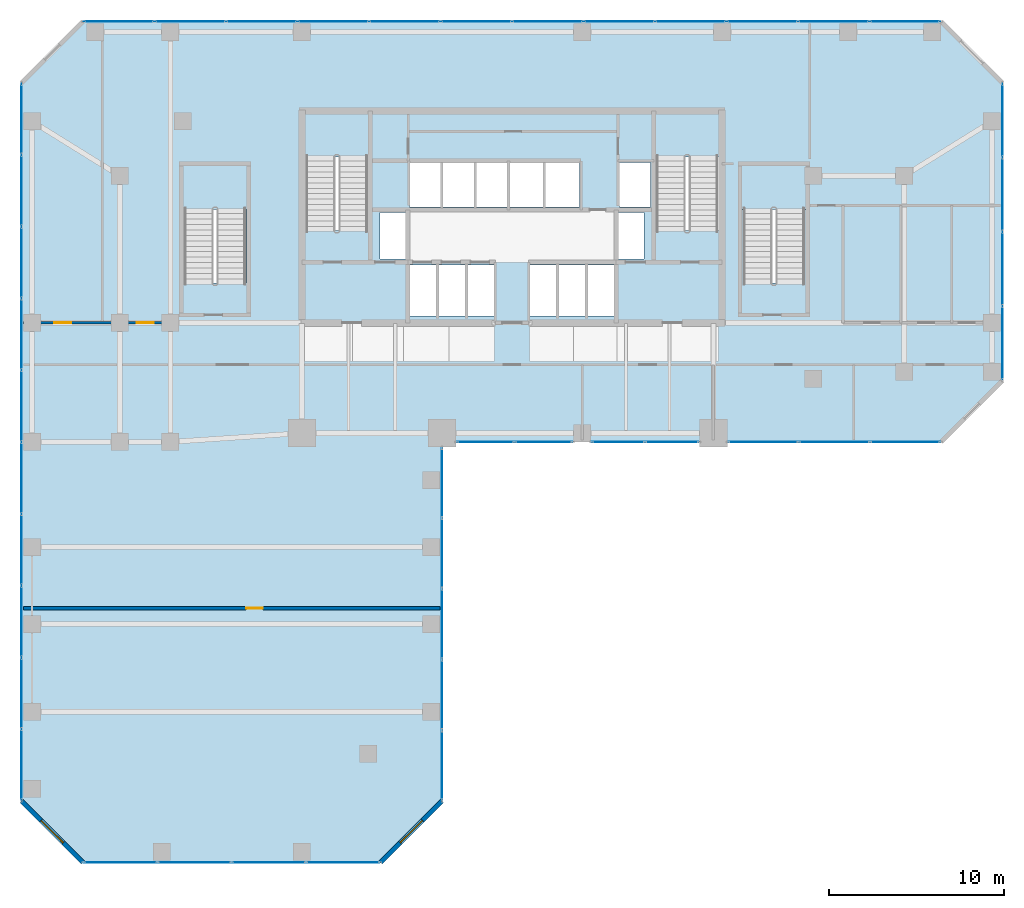
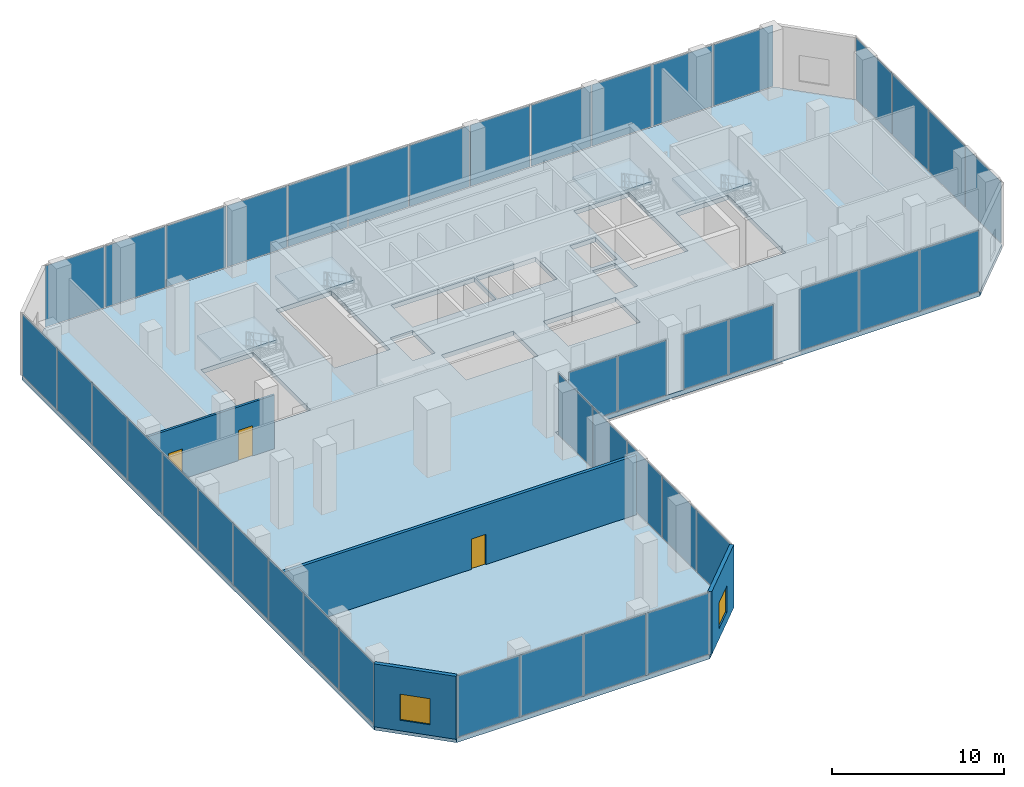
# One storey, part 20 of 24: 42 plates, 5 slabs, 4 walls, 3 doors, 2 windows, 5 openings, 12 elements without a shape of their own.
"""IFC4 building model written with IfcOpenShell, lengths in metres."""

from ifc_helpers import new_model, si_unit, direction, frame, frame_2d, origin, origin_2d, place, context, subcontext, project, spatial, polyline, rectangle, outline, extrude, material, layer, layer_set, type_object, element, fill, aggregate, save


model = new_model("IFC4")

# Units and contexts
model_context = context("Model", 3, precision=1e-05, world=origin(), true_north=direction((0.0, 1.0)))
body_context = subcontext(model_context, "Body", "Model", "MODEL_VIEW")
ifc_project = project(units=[si_unit("LENGTHUNIT", "METRE"), si_unit("AREAUNIT", "SQUARE_METRE"), si_unit("VOLUMEUNIT", "CUBIC_METRE"), si_unit("PLANEANGLEUNIT", "RADIAN"), si_unit("MASSUNIT", "GRAM", prefix="KILO")], contexts=[model_context])

# Site, building, storey
site_placement = place(None, origin())
site = spatial("IfcSite", under=ifc_project, at=site_placement, CompositionType="ELEMENT")
building_placement = place(site_placement, origin())
building = spatial("IfcBuilding", under=site, at=building_placement, Name="Catumbela Crestline Tower", CompositionType="ELEMENT")
storey_placement = place(building_placement, frame((0.0, 0.0, 11.1)))
storey = spatial("IfcBuildingStorey", under=building, at=storey_placement, Name="L02", CompositionType="ELEMENT", Elevation=11.1)

# Curtain wall, plates
ifc_material_1 = material(Name="Aluminium alloy AW-6060-T66", Category="aluminium")
ifc_layer_1 = layer(ifc_material_1, 0.18, Name="Aluminium alloy AW-6060-T66")
ifc_layer_set_1 = layer_set([ifc_layer_1], Name="Aluminium alloy AW-6060-T66")
curtain_wall_type = type_object("IfcCurtainWallType", Name="CWS-POD", PredefinedType="USERDEFINED", material=ifc_layer_set_1)
curtain_wall_1_placement = place(storey_placement, origin())
curtain_wall_1 = element("IfcCurtainWall", 1, at=curtain_wall_1_placement, inside=storey, type_object=curtain_wall_type, Name="L02 Stick Curtain Wall CW-L02-E0S1", ObjectType="STICK", PredefinedType="USERDEFINED")
ifc_material_2 = material(Name="Low-E laminated solar-control double glazing", Category="glass")
ifc_layer_2 = layer(ifc_material_2, 0.032, Name="Low-E laminated solar-control double glazing")
ifc_layer_set_2 = layer_set([ifc_layer_2], Name="Low-E laminated solar-control double glazing")
plate_type = type_object("IfcPlateType", Name="PNL-GLZ-PD", PredefinedType="CURTAIN_PANEL", material=ifc_layer_set_2)
plate_1_placement = place(storey_placement, frame((5.6412, 0.0, 0.06), z_axis=(0.0, 0.0, 1.0), x_axis=(1.0, 0.0, 0.0)))
plate_1 = element("IfcPlate", 2, at=plate_1_placement, type_object=plate_type, Name="CWS-POD panel 1.1", PredefinedType="CURTAIN_PANEL", context=body_context, shape_type="SweptSolid", body=[
    extrude(rectangle(XDim=4.1525, YDim=0.034, at=origin_2d()), origin(), (0.0, 0.0, 1.0), 4.35),
])
plate_2_placement = place(storey_placement, frame((9.875, 0.0, 0.06), z_axis=(0.0, 0.0, 1.0), x_axis=(1.0, 0.0, 0.0)))
plate_2 = element("IfcPlate", 3, at=plate_2_placement, type_object=plate_type, Name="CWS-POD panel 2.1", PredefinedType="CURTAIN_PANEL", context=body_context, shape_type="SweptSolid", body=[
    extrude(rectangle(XDim=4.185, YDim=0.034, at=origin_2d()), origin(), (0.0, 0.0, 1.0), 4.35),
])
plate_3_placement = place(storey_placement, frame((14.125, 0.0, 0.06), z_axis=(0.0, 0.0, 1.0), x_axis=(1.0, 0.0, 0.0)))
plate_3 = element("IfcPlate", 4, at=plate_3_placement, type_object=plate_type, Name="CWS-POD panel 3.1", PredefinedType="CURTAIN_PANEL", context=body_context, shape_type="SweptSolid", body=[
    extrude(rectangle(XDim=4.185, YDim=0.034, at=origin_2d()), origin(), (0.0, 0.0, 1.0), 4.35),
])
plate_4_placement = place(storey_placement, frame((18.3588, 0.0, 0.06), z_axis=(0.0, 0.0, 1.0), x_axis=(1.0, 0.0, 0.0)))
plate_4 = element("IfcPlate", 5, at=plate_4_placement, type_object=plate_type, Name="CWS-POD panel 4.1", PredefinedType="CURTAIN_PANEL", context=body_context, shape_type="SweptSolid", body=[
    extrude(rectangle(XDim=4.1525, YDim=0.034, at=origin_2d()), origin(), (0.0, 0.0, 1.0), 4.35),
])
aggregate(curtain_wall_1, [plate_1, plate_2, plate_3, plate_4])

curtain_wall_2_placement = place(storey_placement, origin())
curtain_wall_2 = element("IfcCurtainWall", 6, at=curtain_wall_2_placement, inside=storey, type_object=curtain_wall_type, Name="L02 Stick Curtain Wall CW-L02-E2S1", ObjectType="STICK", PredefinedType="USERDEFINED")
plate_5_placement = place(storey_placement, frame((24.0, 5.5362, 0.06), z_axis=(0.0, 0.0, 1.0), x_axis=(0.0, 1.0, 0.0)))
plate_5 = element("IfcPlate", 7, at=plate_5_placement, type_object=plate_type, Name="CWS-POD panel 1.1", PredefinedType="CURTAIN_PANEL", context=body_context, shape_type="SweptSolid", body=[
    extrude(rectangle(XDim=3.9425, YDim=0.034, at=origin_2d()), origin(), (0.0, 0.0, 1.0), 4.35),
])
plate_6_placement = place(storey_placement, frame((24.0, 9.56, 0.06), z_axis=(0.0, 0.0, 1.0), x_axis=(0.0, 1.0, 0.0)))
plate_6 = element("IfcPlate", 8, at=plate_6_placement, type_object=plate_type, Name="CWS-POD panel 2.1", PredefinedType="CURTAIN_PANEL", context=body_context, shape_type="SweptSolid", body=[
    extrude(rectangle(XDim=3.975, YDim=0.034, at=origin_2d()), origin(), (0.0, 0.0, 1.0), 4.35),
])
plate_7_placement = place(storey_placement, frame((24.0, 13.6, 0.06), z_axis=(0.0, 0.0, 1.0), x_axis=(0.0, 1.0, 0.0)))
plate_7 = element("IfcPlate", 9, at=plate_7_placement, type_object=plate_type, Name="CWS-POD panel 3.1", PredefinedType="CURTAIN_PANEL", context=body_context, shape_type="SweptSolid", body=[
    extrude(rectangle(XDim=3.975, YDim=0.034, at=origin_2d()), origin(), (0.0, 0.0, 1.0), 4.35),
])
plate_8_placement = place(storey_placement, frame((24.0, 17.64, 0.06), z_axis=(0.0, 0.0, 1.0), x_axis=(0.0, 1.0, 0.0)))
plate_8 = element("IfcPlate", 10, at=plate_8_placement, type_object=plate_type, Name="CWS-POD panel 4.1", PredefinedType="CURTAIN_PANEL", context=body_context, shape_type="SweptSolid", body=[
    extrude(rectangle(XDim=3.975, YDim=0.034, at=origin_2d()), origin(), (0.0, 0.0, 1.0), 4.35),
])
plate_9_placement = place(storey_placement, frame((24.0, 21.6638, 0.06), z_axis=(0.0, 0.0, 1.0), x_axis=(0.0, 1.0, 0.0)))
plate_9 = element("IfcPlate", 11, at=plate_9_placement, type_object=plate_type, Name="CWS-POD panel 5.1", PredefinedType="CURTAIN_PANEL", context=body_context, shape_type="SweptSolid", body=[
    extrude(rectangle(XDim=3.9425, YDim=0.034, at=origin_2d()), origin(), (0.0, 0.0, 1.0), 4.35),
])
aggregate(curtain_wall_2, [plate_5, plate_6, plate_7, plate_8, plate_9])

curtain_wall_3_placement = place(storey_placement, origin())
curtain_wall_3 = element("IfcCurtainWall", 12, at=curtain_wall_3_placement, inside=storey, type_object=curtain_wall_type, Name="L02 Stick Curtain Wall CW-L02-E3S1", ObjectType="STICK", PredefinedType="USERDEFINED")
plate_10_placement = place(storey_placement, frame((26.4912, 24.0, 0.06), z_axis=(0.0, 0.0, 1.0), x_axis=(1.0, 0.0, 0.0)))
plate_10 = element("IfcPlate", 13, at=plate_10_placement, type_object=plate_type, Name="CWS-POD panel 1.1", PredefinedType="CURTAIN_PANEL", context=body_context, shape_type="SweptSolid", body=[
    extrude(rectangle(XDim=3.2525, YDim=0.034, at=origin_2d()), origin(), (0.0, 0.0, 1.0), 3.89),
])
plate_11_placement = place(storey_placement, frame((29.8088, 24.0, 0.06), z_axis=(0.0, 0.0, 1.0), x_axis=(1.0, 0.0, 0.0)))
plate_11 = element("IfcPlate", 14, at=plate_11_placement, type_object=plate_type, Name="CWS-POD panel 2.1", PredefinedType="CURTAIN_PANEL", context=body_context, shape_type="SweptSolid", body=[
    extrude(rectangle(XDim=3.2525, YDim=0.034, at=origin_2d()), origin(), (0.0, 0.0, 1.0), 3.89),
])
aggregate(curtain_wall_3, [plate_10, plate_11])

curtain_wall_4_placement = place(storey_placement, origin())
curtain_wall_4 = element("IfcCurtainWall", 15, at=curtain_wall_4_placement, inside=storey, type_object=curtain_wall_type, Name="L02 Stick Curtain Wall CW-L02-E3S2", ObjectType="STICK", PredefinedType="USERDEFINED")
plate_12_placement = place(storey_placement, frame((34.0662, 24.0, 0.06), z_axis=(0.0, 0.0, 1.0), x_axis=(1.0, 0.0, 0.0)))
plate_12 = element("IfcPlate", 16, at=plate_12_placement, type_object=plate_type, Name="CWS-POD panel 1.1", PredefinedType="CURTAIN_PANEL", context=body_context, shape_type="SweptSolid", body=[
    extrude(rectangle(XDim=3.0025, YDim=0.034, at=origin_2d()), origin(), (0.0, 0.0, 1.0), 3.89),
])
plate_13_placement = place(storey_placement, frame((37.1338, 24.0, 0.06), z_axis=(0.0, 0.0, 1.0), x_axis=(1.0, 0.0, 0.0)))
plate_13 = element("IfcPlate", 17, at=plate_13_placement, type_object=plate_type, Name="CWS-POD panel 2.1", PredefinedType="CURTAIN_PANEL", context=body_context, shape_type="SweptSolid", body=[
    extrude(rectangle(XDim=3.0025, YDim=0.034, at=origin_2d()), origin(), (0.0, 0.0, 1.0), 3.89),
])
aggregate(curtain_wall_4, [plate_12, plate_13])

curtain_wall_5_placement = place(storey_placement, origin())
curtain_wall_5 = element("IfcCurtainWall", 18, at=curtain_wall_5_placement, inside=storey, type_object=curtain_wall_type, Name="L02 Stick Curtain Wall CW-L02-E3S3", ObjectType="STICK", PredefinedType="USERDEFINED")
plate_14_placement = place(storey_placement, frame((42.3496, 24.0, 0.06), z_axis=(0.0, 0.0, 1.0), x_axis=(1.0, 0.0, 0.0)))
plate_14 = element("IfcPlate", 19, at=plate_14_placement, type_object=plate_type, Name="CWS-POD panel 1.1", PredefinedType="CURTAIN_PANEL", context=body_context, shape_type="SweptSolid", body=[
    extrude(rectangle(XDim=3.9692, YDim=0.034, at=origin_2d()), origin(), (0.0, 0.0, 1.0), 4.35),
])
plate_15_placement = place(storey_placement, frame((46.4, 24.0, 0.06), z_axis=(0.0, 0.0, 1.0), x_axis=(1.0, 0.0, 0.0)))
plate_15 = element("IfcPlate", 20, at=plate_15_placement, type_object=plate_type, Name="CWS-POD panel 2.1", PredefinedType="CURTAIN_PANEL", context=body_context, shape_type="SweptSolid", body=[
    extrude(rectangle(XDim=4.0017, YDim=0.034, at=origin_2d()), origin(), (0.0, 0.0, 1.0), 4.35),
])
plate_16_placement = place(storey_placement, frame((50.4504, 24.0, 0.06), z_axis=(0.0, 0.0, 1.0), x_axis=(1.0, 0.0, 0.0)))
plate_16 = element("IfcPlate", 21, at=plate_16_placement, type_object=plate_type, Name="CWS-POD panel 3.1", PredefinedType="CURTAIN_PANEL", context=body_context, shape_type="SweptSolid", body=[
    extrude(rectangle(XDim=3.9692, YDim=0.034, at=origin_2d()), origin(), (0.0, 0.0, 1.0), 4.35),
])
aggregate(curtain_wall_5, [plate_14, plate_15, plate_16])

curtain_wall_6_placement = place(storey_placement, origin())
curtain_wall_6 = element("IfcCurtainWall", 22, at=curtain_wall_6_placement, inside=storey, type_object=curtain_wall_type, Name="L02 Stick Curtain Wall CW-L02-E5S1", ObjectType="STICK", PredefinedType="USERDEFINED")
plate_17_placement = place(storey_placement, frame((56.0, 29.6412, 0.06), z_axis=(0.0, 0.0, 1.0), x_axis=(0.0, 1.0, 0.0)))
plate_17 = element("IfcPlate", 23, at=plate_17_placement, type_object=plate_type, Name="CWS-POD panel 1.1", PredefinedType="CURTAIN_PANEL", context=body_context, shape_type="SweptSolid", body=[
    extrude(rectangle(XDim=4.1525, YDim=0.034, at=origin_2d()), origin(), (0.0, 0.0, 1.0), 4.35),
])
plate_18_placement = place(storey_placement, frame((56.0, 33.875, 0.06), z_axis=(0.0, 0.0, 1.0), x_axis=(0.0, 1.0, 0.0)))
plate_18 = element("IfcPlate", 24, at=plate_18_placement, type_object=plate_type, Name="CWS-POD panel 2.1", PredefinedType="CURTAIN_PANEL", context=body_context, shape_type="SweptSolid", body=[
    extrude(rectangle(XDim=4.185, YDim=0.034, at=origin_2d()), origin(), (0.0, 0.0, 1.0), 4.35),
])
plate_19_placement = place(storey_placement, frame((56.0, 38.125, 0.06), z_axis=(0.0, 0.0, 1.0), x_axis=(0.0, 1.0, 0.0)))
plate_19 = element("IfcPlate", 25, at=plate_19_placement, type_object=plate_type, Name="CWS-POD panel 3.1", PredefinedType="CURTAIN_PANEL", context=body_context, shape_type="SweptSolid", body=[
    extrude(rectangle(XDim=4.185, YDim=0.034, at=origin_2d()), origin(), (0.0, 0.0, 1.0), 4.35),
])
plate_20_placement = place(storey_placement, frame((56.0, 42.3588, 0.06), z_axis=(0.0, 0.0, 1.0), x_axis=(0.0, 1.0, 0.0)))
plate_20 = element("IfcPlate", 26, at=plate_20_placement, type_object=plate_type, Name="CWS-POD panel 4.1", PredefinedType="CURTAIN_PANEL", context=body_context, shape_type="SweptSolid", body=[
    extrude(rectangle(XDim=4.1525, YDim=0.034, at=origin_2d()), origin(), (0.0, 0.0, 1.0), 4.35),
])
aggregate(curtain_wall_6, [plate_17, plate_18, plate_19, plate_20])

curtain_wall_7_placement = place(storey_placement, origin())
curtain_wall_7 = element("IfcCurtainWall", 27, at=curtain_wall_7_placement, inside=storey, type_object=curtain_wall_type, Name="L02 Stick Curtain Wall CW-L02-E7S1", ObjectType="STICK", PredefinedType="USERDEFINED")
plate_21_placement = place(storey_placement, frame((50.4421, 48.0, 0.06), z_axis=(0.0, 0.0, 1.0), x_axis=(-1.0, 0.0, 0.0)))
plate_21 = element("IfcPlate", 28, at=plate_21_placement, type_object=plate_type, Name="CWS-POD panel 1.1", PredefinedType="CURTAIN_PANEL", context=body_context, shape_type="SweptSolid", body=[
    extrude(rectangle(XDim=3.9858, YDim=0.034, at=origin_2d()), origin(), (0.0, 0.0, 1.0), 4.35),
])
plate_22_placement = place(storey_placement, frame((46.375, 48.0, 0.06), z_axis=(0.0, 0.0, 1.0), x_axis=(-1.0, 0.0, 0.0)))
plate_22 = element("IfcPlate", 29, at=plate_22_placement, type_object=plate_type, Name="CWS-POD panel 2.1", PredefinedType="CURTAIN_PANEL", context=body_context, shape_type="SweptSolid", body=[
    extrude(rectangle(XDim=4.0183, YDim=0.034, at=origin_2d()), origin(), (0.0, 0.0, 1.0), 4.35),
])
plate_23_placement = place(storey_placement, frame((42.2917, 48.0, 0.06), z_axis=(0.0, 0.0, 1.0), x_axis=(-1.0, 0.0, 0.0)))
plate_23 = element("IfcPlate", 30, at=plate_23_placement, type_object=plate_type, Name="CWS-POD panel 3.1", PredefinedType="CURTAIN_PANEL", context=body_context, shape_type="SweptSolid", body=[
    extrude(rectangle(XDim=4.0183, YDim=0.034, at=origin_2d()), origin(), (0.0, 0.0, 1.0), 4.35),
])
plate_24_placement = place(storey_placement, frame((38.2083, 48.0, 0.06), z_axis=(0.0, 0.0, 1.0), x_axis=(-1.0, 0.0, 0.0)))
plate_24 = element("IfcPlate", 31, at=plate_24_placement, type_object=plate_type, Name="CWS-POD panel 4.1", PredefinedType="CURTAIN_PANEL", context=body_context, shape_type="SweptSolid", body=[
    extrude(rectangle(XDim=4.0183, YDim=0.034, at=origin_2d()), origin(), (0.0, 0.0, 1.0), 4.35),
])
plate_25_placement = place(storey_placement, frame((34.125, 48.0, 0.06), z_axis=(0.0, 0.0, 1.0), x_axis=(-1.0, 0.0, 0.0)))
plate_25 = element("IfcPlate", 32, at=plate_25_placement, type_object=plate_type, Name="CWS-POD panel 5.1", PredefinedType="CURTAIN_PANEL", context=body_context, shape_type="SweptSolid", body=[
    extrude(rectangle(XDim=4.0183, YDim=0.034, at=origin_2d()), origin(), (0.0, 0.0, 1.0), 4.35),
])
plate_26_placement = place(storey_placement, frame((30.0417, 48.0, 0.06), z_axis=(0.0, 0.0, 1.0), x_axis=(-1.0, 0.0, 0.0)))
plate_26 = element("IfcPlate", 33, at=plate_26_placement, type_object=plate_type, Name="CWS-POD panel 6.1", PredefinedType="CURTAIN_PANEL", context=body_context, shape_type="SweptSolid", body=[
    extrude(rectangle(XDim=4.0183, YDim=0.034, at=origin_2d()), origin(), (0.0, 0.0, 1.0), 4.35),
])
plate_27_placement = place(storey_placement, frame((25.9583, 48.0, 0.06), z_axis=(0.0, 0.0, 1.0), x_axis=(-1.0, 0.0, 0.0)))
plate_27 = element("IfcPlate", 34, at=plate_27_placement, type_object=plate_type, Name="CWS-POD panel 7.1", PredefinedType="CURTAIN_PANEL", context=body_context, shape_type="SweptSolid", body=[
    extrude(rectangle(XDim=4.0183, YDim=0.034, at=origin_2d()), origin(), (0.0, 0.0, 1.0), 4.35),
])
plate_28_placement = place(storey_placement, frame((21.875, 48.0, 0.06), z_axis=(0.0, 0.0, 1.0), x_axis=(-1.0, 0.0, 0.0)))
plate_28 = element("IfcPlate", 35, at=plate_28_placement, type_object=plate_type, Name="CWS-POD panel 8.1", PredefinedType="CURTAIN_PANEL", context=body_context, shape_type="SweptSolid", body=[
    extrude(rectangle(XDim=4.0183, YDim=0.034, at=origin_2d()), origin(), (0.0, 0.0, 1.0), 4.35),
])
plate_29_placement = place(storey_placement, frame((17.7917, 48.0, 0.06), z_axis=(0.0, 0.0, 1.0), x_axis=(-1.0, 0.0, 0.0)))
plate_29 = element("IfcPlate", 36, at=plate_29_placement, type_object=plate_type, Name="CWS-POD panel 9.1", PredefinedType="CURTAIN_PANEL", context=body_context, shape_type="SweptSolid", body=[
    extrude(rectangle(XDim=4.0183, YDim=0.034, at=origin_2d()), origin(), (0.0, 0.0, 1.0), 4.35),
])
plate_30_placement = place(storey_placement, frame((13.7083, 48.0, 0.06), z_axis=(0.0, 0.0, 1.0), x_axis=(-1.0, 0.0, 0.0)))
plate_30 = element("IfcPlate", 37, at=plate_30_placement, type_object=plate_type, Name="CWS-POD panel 10.1", PredefinedType="CURTAIN_PANEL", context=body_context, shape_type="SweptSolid", body=[
    extrude(rectangle(XDim=4.0183, YDim=0.034, at=origin_2d()), origin(), (0.0, 0.0, 1.0), 4.35),
])
plate_31_placement = place(storey_placement, frame((9.625, 48.0, 0.06), z_axis=(0.0, 0.0, 1.0), x_axis=(-1.0, 0.0, 0.0)))
plate_31 = element("IfcPlate", 38, at=plate_31_placement, type_object=plate_type, Name="CWS-POD panel 11.1", PredefinedType="CURTAIN_PANEL", context=body_context, shape_type="SweptSolid", body=[
    extrude(rectangle(XDim=4.0183, YDim=0.034, at=origin_2d()), origin(), (0.0, 0.0, 1.0), 4.35),
])
plate_32_placement = place(storey_placement, frame((5.5579, 48.0, 0.06), z_axis=(0.0, 0.0, 1.0), x_axis=(-1.0, 0.0, 0.0)))
plate_32 = element("IfcPlate", 39, at=plate_32_placement, type_object=plate_type, Name="CWS-POD panel 12.1", PredefinedType="CURTAIN_PANEL", context=body_context, shape_type="SweptSolid", body=[
    extrude(rectangle(XDim=3.9858, YDim=0.034, at=origin_2d()), origin(), (0.0, 0.0, 1.0), 4.35),
])
aggregate(curtain_wall_7, [plate_21, plate_22, plate_23, plate_24, plate_25, plate_26, plate_27, plate_28, plate_29, plate_30, plate_31, plate_32])

curtain_wall_8_placement = place(storey_placement, origin())
curtain_wall_8 = element("IfcCurtainWall", 40, at=curtain_wall_8_placement, inside=storey, type_object=curtain_wall_type, Name="L02 Stick Curtain Wall CW-L02-E9S1", ObjectType="STICK", PredefinedType="USERDEFINED")
plate_33_placement = place(storey_placement, frame((0.0, 42.4338, 0.06), z_axis=(0.0, 0.0, 1.0), x_axis=(0.0, -1.0, 0.0)))
plate_33 = element("IfcPlate", 41, at=plate_33_placement, type_object=plate_type, Name="CWS-POD panel 1.1", PredefinedType="CURTAIN_PANEL", context=body_context, shape_type="SweptSolid", body=[
    extrude(rectangle(XDim=4.0025, YDim=0.034, at=origin_2d()), origin(), (0.0, 0.0, 1.0), 4.35),
])
plate_34_placement = place(storey_placement, frame((0.0, 38.35, 0.06), z_axis=(0.0, 0.0, 1.0), x_axis=(0.0, -1.0, 0.0)))
plate_34 = element("IfcPlate", 42, at=plate_34_placement, type_object=plate_type, Name="CWS-POD panel 2.1", PredefinedType="CURTAIN_PANEL", context=body_context, shape_type="SweptSolid", body=[
    extrude(rectangle(XDim=4.035, YDim=0.034, at=origin_2d()), origin(), (0.0, 0.0, 1.0), 4.35),
])
plate_35_placement = place(storey_placement, frame((0.0, 34.25, 0.06), z_axis=(0.0, 0.0, 1.0), x_axis=(0.0, -1.0, 0.0)))
plate_35 = element("IfcPlate", 43, at=plate_35_placement, type_object=plate_type, Name="CWS-POD panel 3.1", PredefinedType="CURTAIN_PANEL", context=body_context, shape_type="SweptSolid", body=[
    extrude(rectangle(XDim=4.035, YDim=0.034, at=origin_2d()), origin(), (0.0, 0.0, 1.0), 4.35),
])
plate_36_placement = place(storey_placement, frame((0.0, 30.15, 0.06), z_axis=(0.0, 0.0, 1.0), x_axis=(0.0, -1.0, 0.0)))
plate_36 = element("IfcPlate", 44, at=plate_36_placement, type_object=plate_type, Name="CWS-POD panel 4.1", PredefinedType="CURTAIN_PANEL", context=body_context, shape_type="SweptSolid", body=[
    extrude(rectangle(XDim=4.035, YDim=0.034, at=origin_2d()), origin(), (0.0, 0.0, 1.0), 4.35),
])
plate_37_placement = place(storey_placement, frame((0.0, 26.05, 0.06), z_axis=(0.0, 0.0, 1.0), x_axis=(0.0, -1.0, 0.0)))
plate_37 = element("IfcPlate", 45, at=plate_37_placement, type_object=plate_type, Name="CWS-POD panel 5.1", PredefinedType="CURTAIN_PANEL", context=body_context, shape_type="SweptSolid", body=[
    extrude(rectangle(XDim=4.035, YDim=0.034, at=origin_2d()), origin(), (0.0, 0.0, 1.0), 4.35),
])
plate_38_placement = place(storey_placement, frame((0.0, 21.95, 0.06), z_axis=(0.0, 0.0, 1.0), x_axis=(0.0, -1.0, 0.0)))
plate_38 = element("IfcPlate", 46, at=plate_38_placement, type_object=plate_type, Name="CWS-POD panel 6.1", PredefinedType="CURTAIN_PANEL", context=body_context, shape_type="SweptSolid", body=[
    extrude(rectangle(XDim=4.035, YDim=0.034, at=origin_2d()), origin(), (0.0, 0.0, 1.0), 4.35),
])
plate_39_placement = place(storey_placement, frame((0.0, 17.85, 0.06), z_axis=(0.0, 0.0, 1.0), x_axis=(0.0, -1.0, 0.0)))
plate_39 = element("IfcPlate", 47, at=plate_39_placement, type_object=plate_type, Name="CWS-POD panel 7.1", PredefinedType="CURTAIN_PANEL", context=body_context, shape_type="SweptSolid", body=[
    extrude(rectangle(XDim=4.035, YDim=0.034, at=origin_2d()), origin(), (0.0, 0.0, 1.0), 4.35),
])
plate_40_placement = place(storey_placement, frame((0.0, 13.75, 0.06), z_axis=(0.0, 0.0, 1.0), x_axis=(0.0, -1.0, 0.0)))
plate_40 = element("IfcPlate", 48, at=plate_40_placement, type_object=plate_type, Name="CWS-POD panel 8.1", PredefinedType="CURTAIN_PANEL", context=body_context, shape_type="SweptSolid", body=[
    extrude(rectangle(XDim=4.035, YDim=0.034, at=origin_2d()), origin(), (0.0, 0.0, 1.0), 4.35),
])
plate_41_placement = place(storey_placement, frame((0.0, 9.65, 0.06), z_axis=(0.0, 0.0, 1.0), x_axis=(0.0, -1.0, 0.0)))
plate_41 = element("IfcPlate", 49, at=plate_41_placement, type_object=plate_type, Name="CWS-POD panel 9.1", PredefinedType="CURTAIN_PANEL", context=body_context, shape_type="SweptSolid", body=[
    extrude(rectangle(XDim=4.035, YDim=0.034, at=origin_2d()), origin(), (0.0, 0.0, 1.0), 4.35),
])
plate_42_placement = place(storey_placement, frame((0.0, 5.5662, 0.06), z_axis=(0.0, 0.0, 1.0), x_axis=(0.0, -1.0, 0.0)))
plate_42 = element("IfcPlate", 50, at=plate_42_placement, type_object=plate_type, Name="CWS-POD panel 10.1", PredefinedType="CURTAIN_PANEL", context=body_context, shape_type="SweptSolid", body=[
    extrude(rectangle(XDim=4.0025, YDim=0.034, at=origin_2d()), origin(), (0.0, 0.0, 1.0), 4.35),
])
aggregate(curtain_wall_8, [plate_33, plate_34, plate_35, plate_36, plate_37, plate_38, plate_39, plate_40, plate_41, plate_42])

# Stair, slab
ifc_material_3 = material(Name="Concrete C45/55", Category="concrete")
stair_type = type_object("IfcStairType", Name="ST-DLG", PredefinedType="HALF_TURN_STAIR", material=ifc_material_3)
stair_1_placement = place(storey_placement, origin())
stair_1 = element("IfcStair", 51, at=stair_1_placement, inside=storey, type_object=stair_type, Name="L02 West Core Pressurised Exit Stair ST-01", PredefinedType="HALF_TURN_STAIR")
ifc_layer_3 = layer(ifc_material_3, 0.2, Name="Concrete C45/55")
ifc_layer_set_3 = layer_set([ifc_layer_3], Name="Concrete C45/55")
slab_type_1 = type_object("IfcSlabType", Name="SL-LND", PredefinedType="LANDING", material=ifc_layer_set_3)
slab_1_placement = place(storey_placement, frame((0.0, 0.0, 2.2)))
slab_1 = element("IfcSlab", 52, at=slab_1_placement, type_object=slab_type_1, Name="ST-01 landing 1", PredefinedType="LANDING", context=body_context, shape_type="SweptSolid", body=[
    extrude(outline(polyline([(19.91, 40.26), (19.91, 42.96), (16.09, 42.96), (16.09, 40.26), (19.91, 40.26)])), origin(), (0.0, 0.0, 1.0), 0.2),
])
aggregate(stair_1, [slab_1])

stair_2_placement = place(storey_placement, origin())
stair_2 = element("IfcStair", 53, at=stair_2_placement, inside=storey, type_object=stair_type, Name="L02 East Core Pressurised Exit Stair ST-02", PredefinedType="HALF_TURN_STAIR")
slab_2_placement = place(storey_placement, frame((0.0, 0.0, 2.2)))
slab_2 = element("IfcSlab", 54, at=slab_2_placement, type_object=slab_type_1, Name="ST-02 landing 1", PredefinedType="LANDING", context=body_context, shape_type="SweptSolid", body=[
    extrude(outline(polyline([(39.91, 40.26), (39.91, 42.96), (36.09, 42.96), (36.09, 40.26), (39.91, 40.26)])), origin(), (0.0, 0.0, 1.0), 0.2),
])
aggregate(stair_2, [slab_2])

stair_3_placement = place(storey_placement, origin())
stair_3 = element("IfcStair", 55, at=stair_3_placement, inside=storey, type_object=stair_type, Name="L02 South-West Podium Exit Stair ST-03", PredefinedType="HALF_TURN_STAIR")
slab_3_placement = place(storey_placement, frame((0.0, 0.0, 2.2)))
slab_3 = element("IfcSlab", 56, at=slab_3_placement, type_object=slab_type_1, Name="ST-03 landing 1", PredefinedType="LANDING", context=body_context, shape_type="SweptSolid", body=[
    extrude(outline(polyline([(12.96, 37.26), (12.96, 39.96), (9.14, 39.96), (9.14, 37.26), (12.96, 37.26)])), origin(), (0.0, 0.0, 1.0), 0.2),
])
aggregate(stair_3, [slab_3])

stair_4_placement = place(storey_placement, origin())
stair_4 = element("IfcStair", 57, at=stair_4_placement, inside=storey, type_object=stair_type, Name="L02 East Galleria Podium Exit Stair ST-04", PredefinedType="HALF_TURN_STAIR")
slab_4_placement = place(storey_placement, frame((0.0, 0.0, 2.2)))
slab_4 = element("IfcSlab", 58, at=slab_4_placement, type_object=slab_type_1, Name="ST-04 landing 1", PredefinedType="LANDING", context=body_context, shape_type="SweptSolid", body=[
    extrude(outline(polyline([(44.86, 37.26), (44.86, 39.96), (41.04, 39.96), (41.04, 37.26), (44.86, 37.26)])), origin(), (0.0, 0.0, 1.0), 0.2),
])
aggregate(stair_4, [slab_4])

# Slab
ifc_material_4 = material(Name="Concrete C50/60", Category="concrete")
ifc_layer_4 = layer(ifc_material_4, 0.32, Name="Concrete C50/60")
ifc_layer_set_4 = layer_set([ifc_layer_4], Name="Concrete C50/60")
slab_type_2 = type_object("IfcSlabType", Name="SL-320P", PredefinedType="FLOOR", material=ifc_layer_set_4)
slab_5_placement = place(storey_placement, frame((0.0, 0.0, -0.32)))
element("IfcSlab", 59, at=slab_5_placement, inside=storey, type_object=slab_type_2, Name="L02 Structural Floor Slab", PredefinedType="FLOOR", context=body_context, shape_type="SweptSolid", body=[
    extrude(outline(polyline([(3.5, 0.0), (20.5, 0.0), (24.0, 3.5), (24.0, 24.0), (52.5, 24.0), (56.0, 27.5), (56.0, 44.5), (52.5, 48.0), (3.5, 48.0), (0.0, 44.5), (0.0, 3.5), (3.5, 0.0)]), holes=[polyline([(16.13, 36.08), (19.87, 36.08), (19.87, 42.92), (16.13, 42.92), (16.13, 36.08)]), polyline([(36.13, 36.08), (39.87, 36.08), (39.87, 42.92), (36.13, 42.92), (36.13, 36.08)]), polyline([(12.8, 33.08), (12.8, 39.8), (9.3, 39.8), (9.3, 33.08), (12.8, 33.08)]), polyline([(44.7, 33.08), (44.7, 39.8), (41.2, 39.8), (41.2, 33.08), (44.7, 33.08)]), polyline([(22.15, 31.2), (27.0, 31.2), (27.0, 34.1), (22.15, 34.1), (22.15, 31.2)]), polyline([(29.0, 31.2), (33.85, 31.2), (33.85, 34.1), (29.0, 34.1), (29.0, 31.2)]), polyline([(22.15, 37.4), (27.75, 37.4), (27.75, 39.95), (22.15, 39.95), (22.15, 37.4)]), polyline([(27.85, 37.4), (31.85, 37.4), (31.85, 39.95), (27.85, 39.95), (27.85, 37.4)]), polyline([(20.45, 34.45), (21.95, 34.45), (21.95, 37.1), (20.45, 37.1), (20.45, 34.45)]), polyline([(34.05, 34.45), (35.55, 34.45), (35.55, 37.1), (34.05, 37.1), (34.05, 34.45)]), polyline([(34.15, 37.4), (35.9, 37.4), (35.9, 39.95), (34.15, 39.95), (34.15, 37.4)])]), origin(), (0.0, 0.0, 1.0), 0.32),
])

# Wall, opening, door
ifc_material_5 = material(Name="Acoustic gypsum and mineral-wool partition")
ifc_layer_5 = layer(ifc_material_5, 0.2, Name="Acoustic gypsum and mineral-wool partition")
ifc_layer_set_5 = layer_set([ifc_layer_5], Name="Acoustic gypsum and mineral-wool partition")
wall_type_1 = type_object("IfcWallType", Name="WC-200", PredefinedType="PARTITIONING", material=ifc_layer_set_5)
wall_1_placement = place(storey_placement, frame((0.1, 14.5, 0.0), z_axis=(0.0, 0.0, 1.0), x_axis=(1.0, 0.0, 0.0)))
wall_1 = element("IfcWall", 60, at=wall_1_placement, inside=storey, type_object=wall_type_1, Name="L02 Interior Partition PW-L02-BRD1-ENT", PredefinedType="PARTITIONING", context=body_context, shape_type="SweptSolid", body=[
    extrude(rectangle(XDim=23.8, YDim=0.2, at=frame_2d((11.9, 0.0))), origin(), (0.0, 0.0, 1.0), 4.22),
])
opening_1_placement = place(wall_1_placement, frame((12.725, 0.0, 0.0)))
opening_1 = element("IfcOpeningElement", 61, at=opening_1_placement, cuts=wall_1, Name="Opening DF6-095", PredefinedType="OPENING", context=body_context, shape_type="SweptSolid", body=[
    extrude(rectangle(XDim=0.95, YDim=2.15, at=frame_2d((0.475, 1.075))), frame((0.0, 0.11, 0.0), z_axis=(0.0, -1.0, 0.0), x_axis=(1.0, 0.0, 0.0)), (0.0, 0.0, 1.0), 0.22),
])
door_type = type_object("IfcDoorType", Name="DF6-095", OperationType="NOTDEFINED", PredefinedType="DOOR", material=ifc_material_1)
door_1_placement = place(opening_1_placement, origin())
door_1 = element("IfcDoor", 62, at=door_1_placement, inside=storey, type_object=door_type, Name="L02 Interior Door DR-L02-BRD1-ENT", OperationType="SINGLE_SWING_RIGHT", OverallHeight=2.15, OverallWidth=0.95, PredefinedType="DOOR", context=body_context, shape_type="SweptSolid", body=[
    extrude(rectangle(XDim=0.95, YDim=2.15, at=frame_2d((0.475, 1.075))), frame((0.0, 0.025, 0.0), z_axis=(0.0, -1.0, 0.0), x_axis=(1.0, 0.0, 0.0)), (0.0, 0.0, 1.0), 0.05),
])
fill(opening_1, door_1)

# Wall, opening, window
ifc_material_6 = material(Name="Angolan grey-ochre granite", Category="masonry")
ifc_layer_6 = layer(ifc_material_6, 0.25, Name="Angolan grey-ochre granite")
ifc_layer_set_6 = layer_set([ifc_layer_6], Name="Angolan grey-ochre granite")
wall_type_2 = type_object("IfcWallType", Name="WE-250", PredefinedType="STANDARD", material=ifc_layer_set_6)
wall_2_placement = place(storey_placement, frame((20.5, 0.0, 0.0), z_axis=(0.0, 0.0, 1.0), x_axis=(0.707106781187, 0.707106781187, 0.0)))
wall_2 = element("IfcWall", 63, at=wall_2_placement, inside=storey, type_object=wall_type_2, Name="L02 Granite Punched Window Wall 1-1", PredefinedType="STANDARD", context=body_context, shape_type="SweptSolid", body=[
    extrude(rectangle(XDim=4.9497, YDim=0.25, at=frame_2d((2.4748, 0.0))), origin(), (0.0, 0.0, 1.0), 4.47),
])
opening_2_placement = place(wall_2_placement, frame((1.5749, 0.0, 0.75)))
opening_2 = element("IfcOpeningElement", 64, at=opening_2_placement, cuts=wall_2, Name="Opening WN-01", PredefinedType="OPENING", context=body_context, shape_type="SweptSolid", body=[
    extrude(rectangle(XDim=1.8, YDim=1.85, at=frame_2d((0.9, 0.925))), frame((0.0, 0.135, 0.0), z_axis=(0.0, -1.0, 0.0), x_axis=(1.0, 0.0, 0.0)), (0.0, 0.0, 1.0), 0.27),
])
window_type = type_object("IfcWindowType", Name="WF-1800", PartitioningType="SINGLE_PANEL", PredefinedType="WINDOW", material=ifc_material_2)
window_1_placement = place(opening_2_placement, origin())
window_1 = element("IfcWindow", 65, at=window_1_placement, inside=storey, type_object=window_type, Name="L02 Facade Vision Window 31", OverallHeight=1.85, OverallWidth=1.8, PartitioningType="SINGLE_PANEL", PredefinedType="WINDOW", context=body_context, shape_type="SweptSolid", body=[
    extrude(rectangle(XDim=1.8, YDim=1.85, at=frame_2d((0.9, 0.925))), frame((0.0, 0.03, 0.0), z_axis=(0.0, -1.0, 0.0), x_axis=(1.0, 0.0, 0.0)), (0.0, 0.0, 1.0), 0.06),
])
fill(opening_2, window_1)

wall_3_placement = place(storey_placement, frame((0.0, 3.5, 0.0), z_axis=(0.0, 0.0, 1.0), x_axis=(0.707106781187, -0.707106781187, 0.0)))
wall_3 = element("IfcWall", 66, at=wall_3_placement, inside=storey, type_object=wall_type_2, Name="L02 Granite Punched Window Wall 10-1", PredefinedType="STANDARD", context=body_context, shape_type="SweptSolid", body=[
    extrude(rectangle(XDim=4.9497, YDim=0.25, at=frame_2d((2.4748, 0.0))), origin(), (0.0, 0.0, 1.0), 4.47),
])
opening_3_placement = place(wall_3_placement, frame((1.5749, 0.0, 0.75)))
opening_3 = element("IfcOpeningElement", 67, at=opening_3_placement, cuts=wall_3, Name="Opening WN-01", PredefinedType="OPENING", context=body_context, shape_type="SweptSolid", body=[
    extrude(rectangle(XDim=1.8, YDim=1.85, at=frame_2d((0.9, 0.925))), frame((0.0, 0.135, 0.0), z_axis=(0.0, -1.0, 0.0), x_axis=(1.0, 0.0, 0.0)), (0.0, 0.0, 1.0), 0.27),
])
window_2_placement = place(opening_3_placement, origin())
window_2 = element("IfcWindow", 68, at=window_2_placement, inside=storey, type_object=window_type, Name="L02 Facade Vision Window 35", OverallHeight=1.85, OverallWidth=1.8, PartitioningType="SINGLE_PANEL", PredefinedType="WINDOW", context=body_context, shape_type="SweptSolid", body=[
    extrude(rectangle(XDim=1.8, YDim=1.85, at=frame_2d((0.9, 0.925))), frame((0.0, 0.03, 0.0), z_axis=(0.0, -1.0, 0.0), x_axis=(1.0, 0.0, 0.0)), (0.0, 0.0, 1.0), 0.06),
])
fill(opening_3, window_2)

# Wall, openings, doors
ifc_layer_7 = layer(ifc_material_5, 0.15, Name="Acoustic gypsum and mineral-wool partition")
ifc_layer_set_7 = layer_set([ifc_layer_7], Name="Acoustic gypsum and mineral-wool partition")
wall_type_3 = type_object("IfcWallType", Name="WP-150", PredefinedType="PARTITIONING", material=ifc_layer_set_7)
wall_4_placement = place(storey_placement, frame((0.1, 30.8, 0.0), z_axis=(0.0, 0.0, 1.0), x_axis=(1.0, 0.0, 0.0)))
wall_4 = element("IfcWall", 69, at=wall_4_placement, inside=storey, type_object=wall_type_3, Name="L02 Interior Partition PW-L02-NW1", PredefinedType="PARTITIONING", context=body_context, shape_type="SweptSolid", body=[
    extrude(rectangle(XDim=8.9, YDim=0.15, at=frame_2d((4.45, 0.0))), origin(), (0.0, 0.0, 1.0), 3.82),
])
opening_4_placement = place(wall_4_placement, frame((1.775, 0.0, 0.0)))
opening_4 = element("IfcOpeningElement", 70, at=opening_4_placement, cuts=wall_4, Name="Opening DF6-095", PredefinedType="OPENING", context=body_context, shape_type="SweptSolid", body=[
    extrude(rectangle(XDim=0.95, YDim=2.15, at=frame_2d((0.475, 1.075))), frame((0.0, 0.085, 0.0), z_axis=(0.0, -1.0, 0.0), x_axis=(1.0, 0.0, 0.0)), (0.0, 0.0, 1.0), 0.17),
])
opening_5_placement = place(wall_4_placement, frame((6.49, 0.0, 0.0)))
opening_5 = element("IfcOpeningElement", 71, at=opening_5_placement, cuts=wall_4, Name="Opening DF6-095", PredefinedType="OPENING", context=body_context, shape_type="SweptSolid", body=[
    extrude(rectangle(XDim=0.95, YDim=2.15, at=frame_2d((0.475, 1.075))), frame((0.0, 0.085, 0.0), z_axis=(0.0, -1.0, 0.0), x_axis=(1.0, 0.0, 0.0)), (0.0, 0.0, 1.0), 0.17),
])
door_2_placement = place(opening_4_placement, origin())
door_2 = element("IfcDoor", 72, at=door_2_placement, inside=storey, type_object=door_type, Name="L02 Interior Door DR-L02-NW1", OperationType="SINGLE_SWING_LEFT", OverallHeight=2.15, OverallWidth=0.95, PredefinedType="DOOR", context=body_context, shape_type="SweptSolid", body=[
    extrude(rectangle(XDim=0.95, YDim=2.15, at=frame_2d((0.475, 1.075))), frame((0.0, 0.025, 0.0), z_axis=(0.0, -1.0, 0.0), x_axis=(1.0, 0.0, 0.0)), (0.0, 0.0, 1.0), 0.05),
])
fill(opening_4, door_2)
door_3_placement = place(opening_5_placement, origin())
door_3 = element("IfcDoor", 73, at=door_3_placement, inside=storey, type_object=door_type, Name="L02 Interior Door DR-L02-NW2", OperationType="SINGLE_SWING_RIGHT", OverallHeight=2.15, OverallWidth=0.95, PredefinedType="DOOR", context=body_context, shape_type="SweptSolid", body=[
    extrude(rectangle(XDim=0.95, YDim=2.15, at=frame_2d((0.475, 1.075))), frame((0.0, 0.025, 0.0), z_axis=(0.0, -1.0, 0.0), x_axis=(1.0, 0.0, 0.0)), (0.0, 0.0, 1.0), 0.05),
])
fill(opening_5, door_3)

save(model, "model.ifc")
